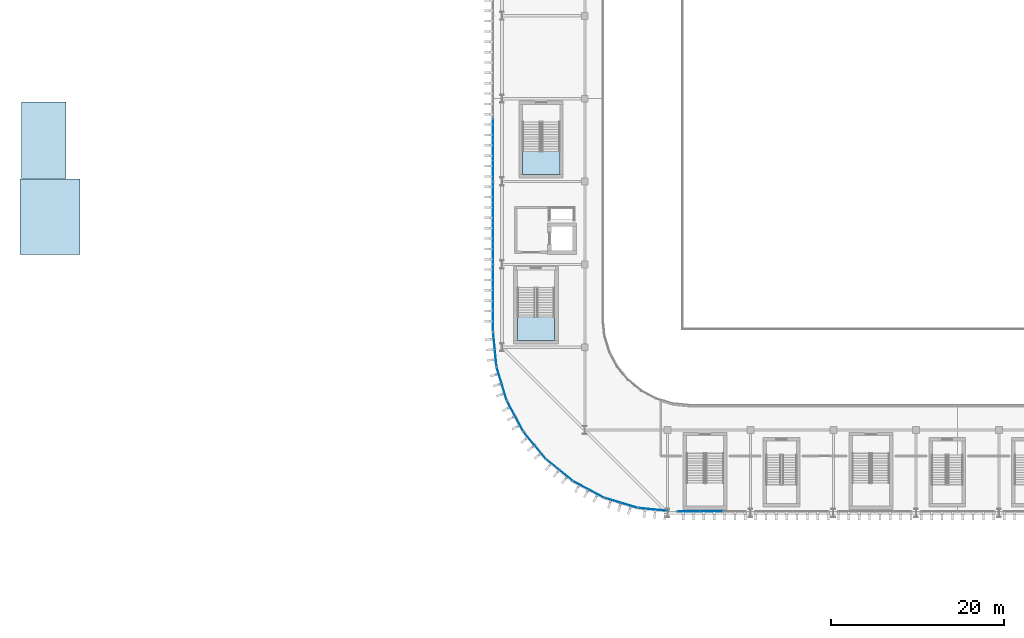
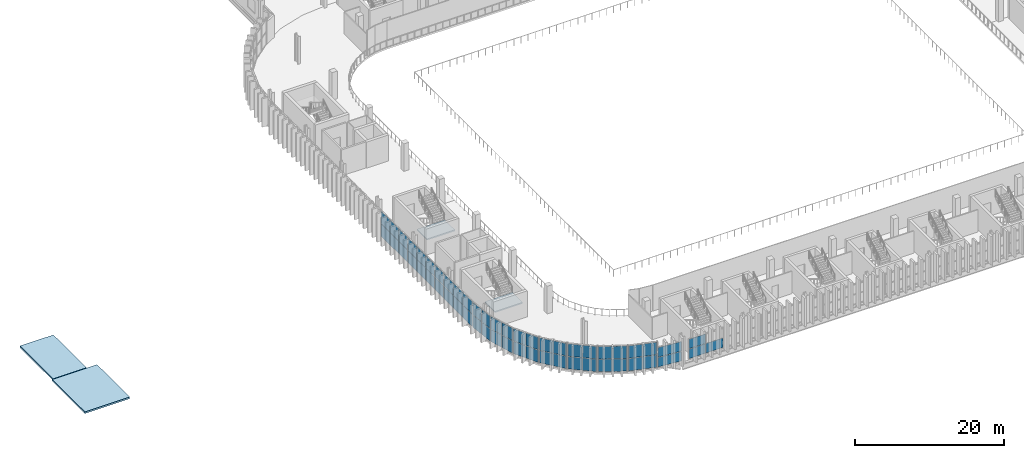
# One storey, part 36 of 75: 53 plates, 4 slabs, 14 elements without a shape of their own.
"""IFC4 building model written with IfcOpenShell, lengths in metres."""

from ifc_helpers import new_model, si_unit, direction, frame, origin, origin_2d, place, context, subcontext, project, spatial, polyline, rectangle, outline, extrude, material, layer, layer_set, type_object, element, aggregate, save


model = new_model("IFC4")

# Units and contexts
model_context = context("Model", 3, precision=1e-05, world=origin(), true_north=direction((0.0, 1.0)))
body_context = subcontext(model_context, "Body", "Model", "MODEL_VIEW")
ifc_project = project(units=[si_unit("LENGTHUNIT", "METRE"), si_unit("AREAUNIT", "SQUARE_METRE"), si_unit("VOLUMEUNIT", "CUBIC_METRE"), si_unit("PLANEANGLEUNIT", "RADIAN"), si_unit("MASSUNIT", "GRAM", prefix="KILO")], contexts=[model_context])

# Site, building, storey
site_placement = place(None, origin())
site = spatial("IfcSite", under=ifc_project, at=site_placement, CompositionType="ELEMENT")
building_placement = place(site_placement, origin())
building = spatial("IfcBuilding", under=site, at=building_placement, Name="Caelomonte Colonnade Arena", CompositionType="ELEMENT")
storey_placement = place(building_placement, frame((0.0, 0.0, 14.10009765625)))
storey = spatial("IfcBuildingStorey", under=building, at=storey_placement, Name="L03", CompositionType="ELEMENT", Elevation=14.10009765625)

# Curtain wall, plates
ifc_material_1 = material(Name="Bronze anodised aluminium and low-E glazing", Category="aluminium")
ifc_layer_1 = layer(ifc_material_1, 0.179931640625)
ifc_layer_set_1 = layer_set([ifc_layer_1], Name="Bronze anodised aluminium and low-E glazing")
curtain_wall_type_1 = type_object("IfcCurtainWallType", Name="ENV-CW-CW-L03-44-42", PredefinedType="USERDEFINED", material=ifc_layer_set_1)
curtain_wall_1_placement = place(storey_placement, origin())
curtain_wall_1 = element("IfcCurtainWall", 1, at=curtain_wall_1_placement, inside=storey, type_object=curtain_wall_type_1, Name="L03 unitized curtain wall CW-L03-0676-0219", ObjectType="UNITIZED CURTAIN WALL", PredefinedType="USERDEFINED")
ifc_material_2 = material(Name="Solar-control bronze low-E double glazing", Category="glass")
ifc_layer_2 = layer(ifc_material_2, 0.035888671875)
ifc_layer_set_2 = layer_set([ifc_layer_2], Name="Solar-control bronze low-E double glazing")
plate_type = type_object("IfcPlateType", Name="ENV-CW-PAN36", PredefinedType="CURTAIN_PANEL", material=ifc_layer_set_2)
plate_1_placement = place(storey_placement, frame((66.758544921875, 22.39501953125, 0.06982421875), z_axis=(0.0, 0.0, 1.0), x_axis=(0.881922613642, -0.471394212466, 0.0)))
plate_1 = element("IfcPlate", 2, at=plate_1_placement, type_object=plate_type, Name="CW-L03-44-42 panel 1.1", PredefinedType="CURTAIN_PANEL", context=body_context, shape_type="SweptSolid", body=[
    extrude(rectangle(XDim=1.913330078125, YDim=0.035888671875, at=origin_2d()), origin(), (0.0, 0.0, 1.0), 2.014892578125),
])
plate_2_placement = place(storey_placement, frame((66.758544921875, 22.39501953125, 2.15478515625), z_axis=(0.0, 0.0, 1.0), x_axis=(0.881922613642, -0.471394212466, 0.0)))
plate_2 = element("IfcPlate", 3, at=plate_2_placement, type_object=plate_type, Name="CW-L03-44-42 panel 1.2", PredefinedType="CURTAIN_PANEL", context=body_context, shape_type="SweptSolid", body=[
    extrude(rectangle(XDim=1.913330078125, YDim=0.035888671875, at=origin_2d()), origin(), (0.0, 0.0, 1.0), 2.014892578125),
])
plate_3_placement = place(storey_placement, frame((68.5078125, 21.4599609375, 0.06982421875), z_axis=(0.0, 0.0, 1.0), x_axis=(0.881922613642, -0.471394212466, 0.0)))
plate_3 = element("IfcPlate", 4, at=plate_3_placement, type_object=plate_type, Name="CW-L03-44-42 panel 2.1", PredefinedType="CURTAIN_PANEL", context=body_context, shape_type="SweptSolid", body=[
    extrude(rectangle(XDim=1.913330078125, YDim=0.035888671875, at=origin_2d()), origin(), (0.0, 0.0, 1.0), 2.014892578125),
])
plate_4_placement = place(storey_placement, frame((68.5078125, 21.4599609375, 2.15478515625), z_axis=(0.0, 0.0, 1.0), x_axis=(0.881922613642, -0.471394212466, 0.0)))
plate_4 = element("IfcPlate", 5, at=plate_4_placement, type_object=plate_type, Name="CW-L03-44-42 panel 2.2", PredefinedType="CURTAIN_PANEL", context=body_context, shape_type="SweptSolid", body=[
    extrude(rectangle(XDim=1.913330078125, YDim=0.035888671875, at=origin_2d()), origin(), (0.0, 0.0, 1.0), 2.014892578125),
])
aggregate(curtain_wall_1, [plate_1, plate_2, plate_3, plate_4])

curtain_wall_2_placement = place(storey_placement, origin())
curtain_wall_2 = element("IfcCurtainWall", 6, at=curtain_wall_2_placement, inside=storey, type_object=curtain_wall_type_1, Name="L03 unitized curtain wall CW-L03-0714-0204", ObjectType="UNITIZED CURTAIN WALL", PredefinedType="USERDEFINED")
plate_5_placement = place(storey_placement, frame((70.4365234375, 20.6611328125, 0.06982421875), z_axis=(0.0, 0.0, 1.0), x_axis=(0.956949160999, -0.290255582655, 0.0)))
plate_5 = element("IfcPlate", 7, at=plate_5_placement, type_object=plate_type, Name="CW-L03-44-42 panel 1.1", PredefinedType="CURTAIN_PANEL", context=body_context, shape_type="SweptSolid", body=[
    extrude(rectangle(XDim=1.913330078125, YDim=0.035888671875, at=origin_2d()), origin(), (0.0, 0.0, 1.0), 2.014892578125),
])
plate_6_placement = place(storey_placement, frame((70.4365234375, 20.6611328125, 2.15478515625), z_axis=(0.0, 0.0, 1.0), x_axis=(0.956949160999, -0.290255582655, 0.0)))
plate_6 = element("IfcPlate", 8, at=plate_6_placement, type_object=plate_type, Name="CW-L03-44-42 panel 1.2", PredefinedType="CURTAIN_PANEL", context=body_context, shape_type="SweptSolid", body=[
    extrude(rectangle(XDim=1.913330078125, YDim=0.035888671875, at=origin_2d()), origin(), (0.0, 0.0, 1.0), 2.014892578125),
])
plate_7_placement = place(storey_placement, frame((72.334716796875, 20.08544921875, 0.06982421875), z_axis=(0.0, 0.0, 1.0), x_axis=(0.956949160999, -0.290255582655, 0.0)))
plate_7 = element("IfcPlate", 9, at=plate_7_placement, type_object=plate_type, Name="CW-L03-44-42 panel 2.1", PredefinedType="CURTAIN_PANEL", context=body_context, shape_type="SweptSolid", body=[
    extrude(rectangle(XDim=1.913330078125, YDim=0.035888671875, at=origin_2d()), origin(), (0.0, 0.0, 1.0), 2.014892578125),
])
plate_8_placement = place(storey_placement, frame((72.334716796875, 20.08544921875, 2.15478515625), z_axis=(0.0, 0.0, 1.0), x_axis=(0.956949160999, -0.290255582655, 0.0)))
plate_8 = element("IfcPlate", 10, at=plate_8_placement, type_object=plate_type, Name="CW-L03-44-42 panel 2.2", PredefinedType="CURTAIN_PANEL", context=body_context, shape_type="SweptSolid", body=[
    extrude(rectangle(XDim=1.913330078125, YDim=0.035888671875, at=origin_2d()), origin(), (0.0, 0.0, 1.0), 2.014892578125),
])
aggregate(curtain_wall_2, [plate_5, plate_6, plate_7, plate_8])

ifc_layer_3 = layer(ifc_material_1, 0.179931640625)
ifc_layer_set_3 = layer_set([ifc_layer_3], Name="Bronze anodised aluminium and low-E glazing")
curtain_wall_type_2 = type_object("IfcCurtainWallType", Name="ENV-CW-CW-L03-42-33", PredefinedType="USERDEFINED", material=ifc_layer_set_3)
curtain_wall_3_placement = place(storey_placement, origin())
curtain_wall_3 = element("IfcCurtainWall", 11, at=curtain_wall_3_placement, inside=storey, type_object=curtain_wall_type_2, Name="L03 unitized curtain wall CW-L03-0753-0196", ObjectType="UNITIZED CURTAIN WALL", PredefinedType="USERDEFINED")
plate_9_placement = place(storey_placement, frame((75.1435546875, 19.60302734375, 0.06982421875), z_axis=(0.0, 0.0, 1.0), x_axis=(0.995184476904, -0.09801967624, 0.0)))
plate_9 = element("IfcPlate", 12, at=plate_9_placement, type_object=plate_type, Name="CW-L03-42-33 panel 1.1", PredefinedType="CURTAIN_PANEL", context=body_context, shape_type="SweptSolid", body=[
    extrude(rectangle(XDim=3.44287109375, YDim=0.035888671875, at=origin_2d()), origin(), (0.0, 0.0, 1.0), 1.551513671875),
])
plate_10_placement = place(storey_placement, frame((75.1435546875, 19.60302734375, 1.69140625), z_axis=(0.0, 0.0, 1.0), x_axis=(0.995184476904, -0.09801967624, 0.0)))
plate_10 = element("IfcPlate", 13, at=plate_10_placement, type_object=plate_type, Name="CW-L03-42-33 panel 1.2", PredefinedType="CURTAIN_PANEL", context=body_context, shape_type="SweptSolid", body=[
    extrude(rectangle(XDim=3.44287109375, YDim=0.035888671875, at=origin_2d()), origin(), (0.0, 0.0, 1.0), 1.551513671875),
])
aggregate(curtain_wall_3, [plate_9, plate_10])

ifc_layer_4 = layer(ifc_material_1, 0.179931640625)
ifc_layer_set_4 = layer_set([ifc_layer_4], Name="Bronze anodised aluminium and low-E glazing")
curtain_wall_type_3 = type_object("IfcCurtainWallType", Name="ENV-CW-CW-L03-90-33", PredefinedType="USERDEFINED", material=ifc_layer_set_4)
curtain_wall_4_placement = place(storey_placement, origin())
curtain_wall_4 = element("IfcCurtainWall", 14, at=curtain_wall_4_placement, inside=storey, type_object=curtain_wall_type_3, Name="L03 unitized curtain wall CW-L03-0819-0194", ObjectType="UNITIZED CURTAIN WALL", PredefinedType="USERDEFINED")
plate_11_placement = place(storey_placement, frame((79.24658203125, 19.3798828125, 0.06982421875), z_axis=(0.0, 0.0, 1.0), x_axis=(1.0, 0.0, 0.0)))
plate_11 = element("IfcPlate", 15, at=plate_11_placement, type_object=plate_type, Name="CW-L03-90-33 panel 1.1", PredefinedType="CURTAIN_PANEL", context=body_context, shape_type="SweptSolid", body=[
    extrude(rectangle(XDim=2.56591796875, YDim=0.035888671875, at=origin_2d()), origin(), (0.0, 0.0, 1.0), 1.551513671875),
])
plate_12_placement = place(storey_placement, frame((79.24658203125, 19.3798828125, 1.69140625), z_axis=(0.0, 0.0, 1.0), x_axis=(1.0, 0.0, 0.0)))
plate_12 = element("IfcPlate", 16, at=plate_12_placement, type_object=plate_type, Name="CW-L03-90-33 panel 1.2", PredefinedType="CURTAIN_PANEL", context=body_context, shape_type="SweptSolid", body=[
    extrude(rectangle(XDim=2.56591796875, YDim=0.035888671875, at=origin_2d()), origin(), (0.0, 0.0, 1.0), 1.551513671875),
])
plate_13_placement = place(storey_placement, frame((81.89990234375, 19.3798828125, 0.06982421875), z_axis=(0.0, 0.0, 1.0), x_axis=(1.0, 0.0, 0.0)))
plate_13 = element("IfcPlate", 17, at=plate_13_placement, type_object=plate_type, Name="CW-L03-90-33 panel 2.1", PredefinedType="CURTAIN_PANEL", context=body_context, shape_type="SweptSolid", body=[
    extrude(rectangle(XDim=2.600830078125, YDim=0.035888671875, at=origin_2d()), origin(), (0.0, 0.0, 1.0), 1.551513671875),
])
aggregate(curtain_wall_4, [plate_11, plate_12, plate_13])

ifc_layer_5 = layer(ifc_material_1, 0.179931640625)
ifc_layer_set_5 = layer_set([ifc_layer_5], Name="Bronze anodised aluminium and low-E glazing")
curtain_wall_type_4 = type_object("IfcCurtainWallType", Name="ENV-CW-CW-L03-96-42", PredefinedType="USERDEFINED", material=ifc_layer_set_5)
curtain_wall_5_placement = place(storey_placement, origin())
curtain_wall_5 = element("IfcCurtainWall", 18, at=curtain_wall_5_placement, inside=storey, type_object=curtain_wall_type_4, Name="L03 unitized curtain wall CW-L03-0566-0624", ObjectType="UNITIZED CURTAIN WALL", PredefinedType="USERDEFINED")
plate_14_placement = place(storey_placement, frame((56.580078125, 63.590087890625, 0.06982421875), z_axis=(0.0, 0.0, 1.0), x_axis=(0.0, -1.0, 0.0)))
plate_14 = element("IfcPlate", 19, at=plate_14_placement, type_object=plate_type, Name="CW-L03-96-42 panel 2.1", PredefinedType="CURTAIN_PANEL", context=body_context, shape_type="SweptSolid", body=[
    extrude(rectangle(XDim=2.31005859375, YDim=0.035888671875, at=origin_2d()), origin(), (0.0, 0.0, 1.0), 2.014892578125),
])
plate_15_placement = place(storey_placement, frame((56.580078125, 63.590087890625, 2.15478515625), z_axis=(0.0, 0.0, 1.0), x_axis=(0.0, -1.0, 0.0)))
plate_15 = element("IfcPlate", 20, at=plate_15_placement, type_object=plate_type, Name="CW-L03-96-42 panel 2.2", PredefinedType="CURTAIN_PANEL", context=body_context, shape_type="SweptSolid", body=[
    extrude(rectangle(XDim=2.31005859375, YDim=0.035888671875, at=origin_2d()), origin(), (0.0, 0.0, 1.0), 2.014892578125),
])
plate_16_placement = place(storey_placement, frame((56.580078125, 61.2099609375, 0.06982421875), z_axis=(0.0, 0.0, 1.0), x_axis=(0.0, -1.0, 0.0)))
plate_16 = element("IfcPlate", 21, at=plate_16_placement, type_object=plate_type, Name="CW-L03-96-42 panel 3.1", PredefinedType="CURTAIN_PANEL", context=body_context, shape_type="SweptSolid", body=[
    extrude(rectangle(XDim=2.31005859375, YDim=0.035888671875, at=origin_2d()), origin(), (0.0, 0.0, 1.0), 2.014892578125),
])
plate_17_placement = place(storey_placement, frame((56.580078125, 61.2099609375, 2.15478515625), z_axis=(0.0, 0.0, 1.0), x_axis=(0.0, -1.0, 0.0)))
plate_17 = element("IfcPlate", 22, at=plate_17_placement, type_object=plate_type, Name="CW-L03-96-42 panel 3.2", PredefinedType="CURTAIN_PANEL", context=body_context, shape_type="SweptSolid", body=[
    extrude(rectangle(XDim=2.31005859375, YDim=0.035888671875, at=origin_2d()), origin(), (0.0, 0.0, 1.0), 2.014892578125),
])
plate_18_placement = place(storey_placement, frame((56.580078125, 58.847412109375, 0.06982421875), z_axis=(0.0, 0.0, 1.0), x_axis=(0.0, -1.0, 0.0)))
plate_18 = element("IfcPlate", 23, at=plate_18_placement, type_object=plate_type, Name="CW-L03-96-42 panel 4.1", PredefinedType="CURTAIN_PANEL", context=body_context, shape_type="SweptSolid", body=[
    extrude(rectangle(XDim=2.27490234375, YDim=0.035888671875, at=origin_2d()), origin(), (0.0, 0.0, 1.0), 2.014892578125),
])
plate_19_placement = place(storey_placement, frame((56.580078125, 58.847412109375, 2.15478515625), z_axis=(0.0, 0.0, 1.0), x_axis=(0.0, -1.0, 0.0)))
plate_19 = element("IfcPlate", 24, at=plate_19_placement, type_object=plate_type, Name="CW-L03-96-42 panel 4.2", PredefinedType="CURTAIN_PANEL", context=body_context, shape_type="SweptSolid", body=[
    extrude(rectangle(XDim=2.27490234375, YDim=0.035888671875, at=origin_2d()), origin(), (0.0, 0.0, 1.0), 2.014892578125),
])
aggregate(curtain_wall_5, [plate_14, plate_15, plate_16, plate_17, plate_18, plate_19])

curtain_wall_6_placement = place(storey_placement, origin())
curtain_wall_6 = element("IfcCurtainWall", 25, at=curtain_wall_6_placement, inside=storey, type_object=curtain_wall_type_4, Name="L03 unitized curtain wall CW-L03-0566-0528", ObjectType="UNITIZED CURTAIN WALL", PredefinedType="USERDEFINED")
plate_20_placement = place(storey_placement, frame((56.580078125, 56.3525390625, 0.06982421875), z_axis=(0.0, 0.0, 1.0), x_axis=(0.0, -1.0, 0.0)))
plate_20 = element("IfcPlate", 26, at=plate_20_placement, type_object=plate_type, Name="CW-L03-96-42 panel 1.1", PredefinedType="CURTAIN_PANEL", context=body_context, shape_type="SweptSolid", body=[
    extrude(rectangle(XDim=2.27490234375, YDim=0.035888671875, at=origin_2d()), origin(), (0.0, 0.0, 1.0), 2.014892578125),
])
plate_21_placement = place(storey_placement, frame((56.580078125, 56.3525390625, 2.15478515625), z_axis=(0.0, 0.0, 1.0), x_axis=(0.0, -1.0, 0.0)))
plate_21 = element("IfcPlate", 27, at=plate_21_placement, type_object=plate_type, Name="CW-L03-96-42 panel 1.2", PredefinedType="CURTAIN_PANEL", context=body_context, shape_type="SweptSolid", body=[
    extrude(rectangle(XDim=2.27490234375, YDim=0.035888671875, at=origin_2d()), origin(), (0.0, 0.0, 1.0), 2.014892578125),
])
plate_22_placement = place(storey_placement, frame((56.580078125, 53.989990234375, 0.06982421875), z_axis=(0.0, 0.0, 1.0), x_axis=(0.0, -1.0, 0.0)))
plate_22 = element("IfcPlate", 28, at=plate_22_placement, type_object=plate_type, Name="CW-L03-96-42 panel 2.1", PredefinedType="CURTAIN_PANEL", context=body_context, shape_type="SweptSolid", body=[
    extrude(rectangle(XDim=2.31005859375, YDim=0.035888671875, at=origin_2d()), origin(), (0.0, 0.0, 1.0), 2.014892578125),
])
plate_23_placement = place(storey_placement, frame((56.580078125, 53.989990234375, 2.15478515625), z_axis=(0.0, 0.0, 1.0), x_axis=(0.0, -1.0, 0.0)))
plate_23 = element("IfcPlate", 29, at=plate_23_placement, type_object=plate_type, Name="CW-L03-96-42 panel 2.2", PredefinedType="CURTAIN_PANEL", context=body_context, shape_type="SweptSolid", body=[
    extrude(rectangle(XDim=2.31005859375, YDim=0.035888671875, at=origin_2d()), origin(), (0.0, 0.0, 1.0), 2.014892578125),
])
plate_24_placement = place(storey_placement, frame((56.580078125, 51.610107421875, 0.06982421875), z_axis=(0.0, 0.0, 1.0), x_axis=(0.0, -1.0, 0.0)))
plate_24 = element("IfcPlate", 30, at=plate_24_placement, type_object=plate_type, Name="CW-L03-96-42 panel 3.1", PredefinedType="CURTAIN_PANEL", context=body_context, shape_type="SweptSolid", body=[
    extrude(rectangle(XDim=2.31005859375, YDim=0.035888671875, at=origin_2d()), origin(), (0.0, 0.0, 1.0), 2.014892578125),
])
plate_25_placement = place(storey_placement, frame((56.580078125, 51.610107421875, 2.15478515625), z_axis=(0.0, 0.0, 1.0), x_axis=(0.0, -1.0, 0.0)))
plate_25 = element("IfcPlate", 31, at=plate_25_placement, type_object=plate_type, Name="CW-L03-96-42 panel 3.2", PredefinedType="CURTAIN_PANEL", context=body_context, shape_type="SweptSolid", body=[
    extrude(rectangle(XDim=2.31005859375, YDim=0.035888671875, at=origin_2d()), origin(), (0.0, 0.0, 1.0), 2.014892578125),
])
plate_26_placement = place(storey_placement, frame((56.580078125, 49.24755859375, 0.06982421875), z_axis=(0.0, 0.0, 1.0), x_axis=(0.0, -1.0, 0.0)))
plate_26 = element("IfcPlate", 32, at=plate_26_placement, type_object=plate_type, Name="CW-L03-96-42 panel 4.1", PredefinedType="CURTAIN_PANEL", context=body_context, shape_type="SweptSolid", body=[
    extrude(rectangle(XDim=2.27490234375, YDim=0.035888671875, at=origin_2d()), origin(), (0.0, 0.0, 1.0), 2.014892578125),
])
plate_27_placement = place(storey_placement, frame((56.580078125, 49.24755859375, 2.15478515625), z_axis=(0.0, 0.0, 1.0), x_axis=(0.0, -1.0, 0.0)))
plate_27 = element("IfcPlate", 33, at=plate_27_placement, type_object=plate_type, Name="CW-L03-96-42 panel 4.2", PredefinedType="CURTAIN_PANEL", context=body_context, shape_type="SweptSolid", body=[
    extrude(rectangle(XDim=2.27490234375, YDim=0.035888671875, at=origin_2d()), origin(), (0.0, 0.0, 1.0), 2.014892578125),
])
aggregate(curtain_wall_6, [plate_20, plate_21, plate_22, plate_23, plate_24, plate_25, plate_26, plate_27])

ifc_layer_6 = layer(ifc_material_1, 0.179931640625)
ifc_layer_set_6 = layer_set([ifc_layer_6], Name="Bronze anodised aluminium and low-E glazing")
curtain_wall_type_5 = type_object("IfcCurtainWallType", Name="ENV-CW-CW-L03-79-42", PredefinedType="USERDEFINED", material=ifc_layer_set_6)
curtain_wall_7_placement = place(storey_placement, origin())
curtain_wall_7 = element("IfcCurtainWall", 34, at=curtain_wall_7_placement, inside=storey, type_object=curtain_wall_type_5, Name="L03 unitized curtain wall CW-L03-0566-0440", ObjectType="UNITIZED CURTAIN WALL", PredefinedType="USERDEFINED")
plate_28_placement = place(storey_placement, frame((56.580078125, 46.65576171875, 0.06982421875), z_axis=(0.0, 0.0, 1.0), x_axis=(0.0, -1.0, 0.0)))
plate_28 = element("IfcPlate", 35, at=plate_28_placement, type_object=plate_type, Name="CW-L03-79-42 panel 1.1", PredefinedType="CURTAIN_PANEL", context=body_context, shape_type="SweptSolid", body=[
    extrude(rectangle(XDim=2.46826171875, YDim=0.035888671875, at=origin_2d()), origin(), (0.0, 0.0, 1.0), 2.014892578125),
])
plate_29_placement = place(storey_placement, frame((56.580078125, 46.65576171875, 2.15478515625), z_axis=(0.0, 0.0, 1.0), x_axis=(0.0, -1.0, 0.0)))
plate_29 = element("IfcPlate", 36, at=plate_29_placement, type_object=plate_type, Name="CW-L03-79-42 panel 1.2", PredefinedType="CURTAIN_PANEL", context=body_context, shape_type="SweptSolid", body=[
    extrude(rectangle(XDim=2.46826171875, YDim=0.035888671875, at=origin_2d()), origin(), (0.0, 0.0, 1.0), 2.014892578125),
])
plate_30_placement = place(storey_placement, frame((56.580078125, 44.10009765625, 0.06982421875), z_axis=(0.0, 0.0, 1.0), x_axis=(0.0, -1.0, 0.0)))
plate_30 = element("IfcPlate", 37, at=plate_30_placement, type_object=plate_type, Name="CW-L03-79-42 panel 2.1", PredefinedType="CURTAIN_PANEL", context=body_context, shape_type="SweptSolid", body=[
    extrude(rectangle(XDim=2.50341796875, YDim=0.035888671875, at=origin_2d()), origin(), (0.0, 0.0, 1.0), 2.014892578125),
])
plate_31_placement = place(storey_placement, frame((56.580078125, 44.10009765625, 2.15478515625), z_axis=(0.0, 0.0, 1.0), x_axis=(0.0, -1.0, 0.0)))
plate_31 = element("IfcPlate", 38, at=plate_31_placement, type_object=plate_type, Name="CW-L03-79-42 panel 2.2", PredefinedType="CURTAIN_PANEL", context=body_context, shape_type="SweptSolid", body=[
    extrude(rectangle(XDim=2.50341796875, YDim=0.035888671875, at=origin_2d()), origin(), (0.0, 0.0, 1.0), 2.014892578125),
])
plate_32_placement = place(storey_placement, frame((56.580078125, 41.544189453125, 0.06982421875), z_axis=(0.0, 0.0, 1.0), x_axis=(0.0, -1.0, 0.0)))
plate_32 = element("IfcPlate", 39, at=plate_32_placement, type_object=plate_type, Name="CW-L03-79-42 panel 3.1", PredefinedType="CURTAIN_PANEL", context=body_context, shape_type="SweptSolid", body=[
    extrude(rectangle(XDim=2.46826171875, YDim=0.035888671875, at=origin_2d()), origin(), (0.0, 0.0, 1.0), 2.014892578125),
])
plate_33_placement = place(storey_placement, frame((56.580078125, 41.544189453125, 2.15478515625), z_axis=(0.0, 0.0, 1.0), x_axis=(0.0, -1.0, 0.0)))
plate_33 = element("IfcPlate", 40, at=plate_33_placement, type_object=plate_type, Name="CW-L03-79-42 panel 3.2", PredefinedType="CURTAIN_PANEL", context=body_context, shape_type="SweptSolid", body=[
    extrude(rectangle(XDim=2.46826171875, YDim=0.035888671875, at=origin_2d()), origin(), (0.0, 0.0, 1.0), 2.014892578125),
])
aggregate(curtain_wall_7, [plate_28, plate_29, plate_30, plate_31, plate_32, plate_33])

curtain_wall_8_placement = place(storey_placement, origin())
curtain_wall_8 = element("IfcCurtainWall", 41, at=curtain_wall_8_placement, inside=storey, type_object=curtain_wall_type_1, Name="L03 unitized curtain wall CW-L03-0568-0382", ObjectType="UNITIZED CURTAIN WALL", PredefinedType="USERDEFINED")
plate_34_placement = place(storey_placement, frame((56.68359375, 39.156005859375, 0.06982421875), z_axis=(0.0, 0.0, 1.0), x_axis=(0.098002498041, -0.995186168703, 0.0)))
plate_34 = element("IfcPlate", 42, at=plate_34_placement, type_object=plate_type, Name="CW-L03-44-42 panel 1.1", PredefinedType="CURTAIN_PANEL", context=body_context, shape_type="SweptSolid", body=[
    extrude(rectangle(XDim=1.913330078125, YDim=0.035888671875, at=origin_2d()), origin(), (0.0, 0.0, 1.0), 2.014892578125),
])
plate_35_placement = place(storey_placement, frame((56.68359375, 39.156005859375, 2.15478515625), z_axis=(0.0, 0.0, 1.0), x_axis=(0.098002498041, -0.995186168703, 0.0)))
plate_35 = element("IfcPlate", 43, at=plate_35_placement, type_object=plate_type, Name="CW-L03-44-42 panel 1.2", PredefinedType="CURTAIN_PANEL", context=body_context, shape_type="SweptSolid", body=[
    extrude(rectangle(XDim=1.913330078125, YDim=0.035888671875, at=origin_2d()), origin(), (0.0, 0.0, 1.0), 2.014892578125),
])
plate_36_placement = place(storey_placement, frame((56.878173828125, 37.182373046875, 0.06982421875), z_axis=(0.0, 0.0, 1.0), x_axis=(0.098002498041, -0.995186168703, 0.0)))
plate_36 = element("IfcPlate", 44, at=plate_36_placement, type_object=plate_type, Name="CW-L03-44-42 panel 2.1", PredefinedType="CURTAIN_PANEL", context=body_context, shape_type="SweptSolid", body=[
    extrude(rectangle(XDim=1.913330078125, YDim=0.035888671875, at=origin_2d()), origin(), (0.0, 0.0, 1.0), 2.014892578125),
])
plate_37_placement = place(storey_placement, frame((56.878173828125, 37.182373046875, 2.15478515625), z_axis=(0.0, 0.0, 1.0), x_axis=(0.098002498041, -0.995186168703, 0.0)))
plate_37 = element("IfcPlate", 45, at=plate_37_placement, type_object=plate_type, Name="CW-L03-44-42 panel 2.2", PredefinedType="CURTAIN_PANEL", context=body_context, shape_type="SweptSolid", body=[
    extrude(rectangle(XDim=1.913330078125, YDim=0.035888671875, at=origin_2d()), origin(), (0.0, 0.0, 1.0), 2.014892578125),
])
aggregate(curtain_wall_8, [plate_34, plate_35, plate_36, plate_37])

curtain_wall_9_placement = place(storey_placement, origin())
curtain_wall_9 = element("IfcCurtainWall", 46, at=curtain_wall_9_placement, inside=storey, type_object=curtain_wall_type_1, Name="L03 unitized curtain wall CW-L03-0576-0342", ObjectType="UNITIZED CURTAIN WALL", PredefinedType="USERDEFINED")
plate_38_placement = place(storey_placement, frame((57.285400390625, 35.134521484375, 0.06982421875), z_axis=(0.0, 0.0, 1.0), x_axis=(0.290255582655, -0.956949160999, 0.0)))
plate_38 = element("IfcPlate", 47, at=plate_38_placement, type_object=plate_type, Name="CW-L03-44-42 panel 1.1", PredefinedType="CURTAIN_PANEL", context=body_context, shape_type="SweptSolid", body=[
    extrude(rectangle(XDim=1.913330078125, YDim=0.035888671875, at=origin_2d()), origin(), (0.0, 0.0, 1.0), 2.014892578125),
])
plate_39_placement = place(storey_placement, frame((57.285400390625, 35.134521484375, 2.15478515625), z_axis=(0.0, 0.0, 1.0), x_axis=(0.290255582655, -0.956949160999, 0.0)))
plate_39 = element("IfcPlate", 48, at=plate_39_placement, type_object=plate_type, Name="CW-L03-44-42 panel 1.2", PredefinedType="CURTAIN_PANEL", context=body_context, shape_type="SweptSolid", body=[
    extrude(rectangle(XDim=1.913330078125, YDim=0.035888671875, at=origin_2d()), origin(), (0.0, 0.0, 1.0), 2.014892578125),
])
plate_40_placement = place(storey_placement, frame((57.861083984375, 33.236572265625, 0.06982421875), z_axis=(0.0, 0.0, 1.0), x_axis=(0.290255582655, -0.956949160999, 0.0)))
plate_40 = element("IfcPlate", 49, at=plate_40_placement, type_object=plate_type, Name="CW-L03-44-42 panel 2.1", PredefinedType="CURTAIN_PANEL", context=body_context, shape_type="SweptSolid", body=[
    extrude(rectangle(XDim=1.913330078125, YDim=0.035888671875, at=origin_2d()), origin(), (0.0, 0.0, 1.0), 2.014892578125),
])
plate_41_placement = place(storey_placement, frame((57.861083984375, 33.236572265625, 2.15478515625), z_axis=(0.0, 0.0, 1.0), x_axis=(0.290255582655, -0.956949160999, 0.0)))
plate_41 = element("IfcPlate", 50, at=plate_41_placement, type_object=plate_type, Name="CW-L03-44-42 panel 2.2", PredefinedType="CURTAIN_PANEL", context=body_context, shape_type="SweptSolid", body=[
    extrude(rectangle(XDim=1.913330078125, YDim=0.035888671875, at=origin_2d()), origin(), (0.0, 0.0, 1.0), 2.014892578125),
])
aggregate(curtain_wall_9, [plate_38, plate_39, plate_40, plate_41])

curtain_wall_10_placement = place(storey_placement, origin())
curtain_wall_10 = element("IfcCurtainWall", 51, at=curtain_wall_10_placement, inside=storey, type_object=curtain_wall_type_1, Name="L03 unitized curtain wall CW-L03-0591-0304", ObjectType="UNITIZED CURTAIN WALL", PredefinedType="USERDEFINED")
plate_42_placement = place(storey_placement, frame((58.66015625, 31.307861328125, 0.06982421875), z_axis=(0.0, 0.0, 1.0), x_axis=(0.471394212466, -0.881922613642, 0.0)))
plate_42 = element("IfcPlate", 52, at=plate_42_placement, type_object=plate_type, Name="CW-L03-44-42 panel 1.1", PredefinedType="CURTAIN_PANEL", context=body_context, shape_type="SweptSolid", body=[
    extrude(rectangle(XDim=1.913330078125, YDim=0.035888671875, at=origin_2d()), origin(), (0.0, 0.0, 1.0), 2.014892578125),
])
plate_43_placement = place(storey_placement, frame((58.66015625, 31.307861328125, 2.15478515625), z_axis=(0.0, 0.0, 1.0), x_axis=(0.471394212466, -0.881922613642, 0.0)))
plate_43 = element("IfcPlate", 53, at=plate_43_placement, type_object=plate_type, Name="CW-L03-44-42 panel 1.2", PredefinedType="CURTAIN_PANEL", context=body_context, shape_type="SweptSolid", body=[
    extrude(rectangle(XDim=1.913330078125, YDim=0.035888671875, at=origin_2d()), origin(), (0.0, 0.0, 1.0), 2.014892578125),
])
plate_44_placement = place(storey_placement, frame((59.594970703125, 29.55859375, 0.06982421875), z_axis=(0.0, 0.0, 1.0), x_axis=(0.471394212466, -0.881922613642, 0.0)))
plate_44 = element("IfcPlate", 54, at=plate_44_placement, type_object=plate_type, Name="CW-L03-44-42 panel 2.1", PredefinedType="CURTAIN_PANEL", context=body_context, shape_type="SweptSolid", body=[
    extrude(rectangle(XDim=1.913330078125, YDim=0.035888671875, at=origin_2d()), origin(), (0.0, 0.0, 1.0), 2.014892578125),
])
plate_45_placement = place(storey_placement, frame((59.594970703125, 29.55859375, 2.15478515625), z_axis=(0.0, 0.0, 1.0), x_axis=(0.471394212466, -0.881922613642, 0.0)))
plate_45 = element("IfcPlate", 55, at=plate_45_placement, type_object=plate_type, Name="CW-L03-44-42 panel 2.2", PredefinedType="CURTAIN_PANEL", context=body_context, shape_type="SweptSolid", body=[
    extrude(rectangle(XDim=1.913330078125, YDim=0.035888671875, at=origin_2d()), origin(), (0.0, 0.0, 1.0), 2.014892578125),
])
aggregate(curtain_wall_10, [plate_42, plate_43, plate_44, plate_45])

curtain_wall_11_placement = place(storey_placement, origin())
curtain_wall_11 = element("IfcCurtainWall", 56, at=curtain_wall_11_placement, inside=storey, type_object=curtain_wall_type_1, Name="L03 unitized curtain wall CW-L03-0614-0271", ObjectType="UNITIZED CURTAIN WALL", PredefinedType="USERDEFINED")
plate_46_placement = place(storey_placement, frame((60.7548828125, 27.82275390625, 0.06982421875), z_axis=(0.0, 0.0, 1.0), x_axis=(0.634416071163, -0.772991751994, 0.0)))
plate_46 = element("IfcPlate", 57, at=plate_46_placement, type_object=plate_type, Name="CW-L03-44-42 panel 1.1", PredefinedType="CURTAIN_PANEL", context=body_context, shape_type="SweptSolid", body=[
    extrude(rectangle(XDim=1.913330078125, YDim=0.035888671875, at=origin_2d()), origin(), (0.0, 0.0, 1.0), 2.014892578125),
])
plate_47_placement = place(storey_placement, frame((60.7548828125, 27.82275390625, 2.15478515625), z_axis=(0.0, 0.0, 1.0), x_axis=(0.634416071163, -0.772991751994, 0.0)))
plate_47 = element("IfcPlate", 58, at=plate_47_placement, type_object=plate_type, Name="CW-L03-44-42 panel 1.2", PredefinedType="CURTAIN_PANEL", context=body_context, shape_type="SweptSolid", body=[
    extrude(rectangle(XDim=1.913330078125, YDim=0.035888671875, at=origin_2d()), origin(), (0.0, 0.0, 1.0), 2.014892578125),
])
plate_48_placement = place(storey_placement, frame((62.01318359375, 26.28955078125, 0.06982421875), z_axis=(0.0, 0.0, 1.0), x_axis=(0.634416071163, -0.772991751994, 0.0)))
plate_48 = element("IfcPlate", 59, at=plate_48_placement, type_object=plate_type, Name="CW-L03-44-42 panel 2.1", PredefinedType="CURTAIN_PANEL", context=body_context, shape_type="SweptSolid", body=[
    extrude(rectangle(XDim=1.913330078125, YDim=0.035888671875, at=origin_2d()), origin(), (0.0, 0.0, 1.0), 2.014892578125),
])
plate_49_placement = place(storey_placement, frame((62.01318359375, 26.28955078125, 2.15478515625), z_axis=(0.0, 0.0, 1.0), x_axis=(0.634416071163, -0.772991751994, 0.0)))
plate_49 = element("IfcPlate", 60, at=plate_49_placement, type_object=plate_type, Name="CW-L03-44-42 panel 2.2", PredefinedType="CURTAIN_PANEL", context=body_context, shape_type="SweptSolid", body=[
    extrude(rectangle(XDim=1.913330078125, YDim=0.035888671875, at=origin_2d()), origin(), (0.0, 0.0, 1.0), 2.014892578125),
])
aggregate(curtain_wall_11, [plate_46, plate_47, plate_48, plate_49])

curtain_wall_12_placement = place(storey_placement, origin())
curtain_wall_12 = element("IfcCurtainWall", 61, at=curtain_wall_12_placement, inside=storey, type_object=curtain_wall_type_1, Name="L03 unitized curtain wall CW-L03-0643-0242", ObjectType="UNITIZED CURTAIN WALL", PredefinedType="USERDEFINED")
plate_50_placement = place(storey_placement, frame((63.489501953125, 24.813232421875, 0.06982421875), z_axis=(0.0, 0.0, 1.0), x_axis=(0.772991751994, -0.634416071163, 0.0)))
plate_50 = element("IfcPlate", 62, at=plate_50_placement, type_object=plate_type, Name="CW-L03-44-42 panel 1.1", PredefinedType="CURTAIN_PANEL", context=body_context, shape_type="SweptSolid", body=[
    extrude(rectangle(XDim=1.913330078125, YDim=0.035888671875, at=origin_2d()), origin(), (0.0, 0.0, 1.0), 2.014892578125),
])
plate_51_placement = place(storey_placement, frame((63.489501953125, 24.813232421875, 2.15478515625), z_axis=(0.0, 0.0, 1.0), x_axis=(0.772991751994, -0.634416071163, 0.0)))
plate_51 = element("IfcPlate", 63, at=plate_51_placement, type_object=plate_type, Name="CW-L03-44-42 panel 1.2", PredefinedType="CURTAIN_PANEL", context=body_context, shape_type="SweptSolid", body=[
    extrude(rectangle(XDim=1.913330078125, YDim=0.035888671875, at=origin_2d()), origin(), (0.0, 0.0, 1.0), 2.014892578125),
])
plate_52_placement = place(storey_placement, frame((65.022705078125, 23.554931640625, 0.06982421875), z_axis=(0.0, 0.0, 1.0), x_axis=(0.772991751994, -0.634416071163, 0.0)))
plate_52 = element("IfcPlate", 64, at=plate_52_placement, type_object=plate_type, Name="CW-L03-44-42 panel 2.1", PredefinedType="CURTAIN_PANEL", context=body_context, shape_type="SweptSolid", body=[
    extrude(rectangle(XDim=1.913330078125, YDim=0.035888671875, at=origin_2d()), origin(), (0.0, 0.0, 1.0), 2.014892578125),
])
plate_53_placement = place(storey_placement, frame((65.022705078125, 23.554931640625, 2.15478515625), z_axis=(0.0, 0.0, 1.0), x_axis=(0.772991751994, -0.634416071163, 0.0)))
plate_53 = element("IfcPlate", 65, at=plate_53_placement, type_object=plate_type, Name="CW-L03-44-42 panel 2.2", PredefinedType="CURTAIN_PANEL", context=body_context, shape_type="SweptSolid", body=[
    extrude(rectangle(XDim=1.913330078125, YDim=0.035888671875, at=origin_2d()), origin(), (0.0, 0.0, 1.0), 2.014892578125),
])
aggregate(curtain_wall_12, [plate_50, plate_51, plate_52, plate_53])

# Stair, slab
ifc_material_3 = material(Name="Concrete C40/50", Category="concrete")
stair_type_1 = type_object("IfcStairType", Name="INT-ST-WING45", PredefinedType="HALF_TURN_STAIR", material=ifc_material_3)
stair_1_placement = place(storey_placement, origin())
stair_1 = element("IfcStair", 66, at=stair_1_placement, inside=storey, type_object=stair_type_1, Name="L03 Core C1 exit stair ST-01", PredefinedType="HALF_TURN_STAIR")
ifc_layer_7 = layer(ifc_material_3, 0.199951171875)
ifc_layer_set_7 = layer_set([ifc_layer_7], Name="Concrete C40/50")
slab_type_1 = type_object("IfcSlabType", Name="INT-SL-LAND20", PredefinedType="LANDING", material=ifc_layer_set_7)
slab_1_placement = place(storey_placement, frame((0.0, 0.0, 2.0498046875)))
slab_1 = element("IfcSlab", 67, at=slab_1_placement, type_object=slab_type_1, Name="ST-01 landing 1", PredefinedType="LANDING", context=body_context, shape_type="SweptSolid", body=[
    extrude(outline(polyline([(59.39990234375, 41.8798828125), (59.39990234375, 39.199951171875), (63.699951171875, 39.199951171875), (63.699951171875, 41.8798828125), (59.39990234375, 41.8798828125)])), origin(), (0.0, 0.0, 1.0), 0.2001953125),
])
aggregate(stair_1, [slab_1])

stair_type_2 = type_object("IfcStairType", Name="INT-ST-CORE45", PredefinedType="HALF_TURN_STAIR", material=ifc_material_3)
stair_2_placement = place(storey_placement, origin())
stair_2 = element("IfcStair", 68, at=stair_2_placement, inside=storey, type_object=stair_type_2, Name="L03 Protected exit stair ST-09", PredefinedType="HALF_TURN_STAIR")
slab_2_placement = place(storey_placement, frame((0.0, 0.0, 2.0498046875)))
slab_2 = element("IfcSlab", 69, at=slab_2_placement, type_object=slab_type_1, Name="ST-09 landing 1", PredefinedType="LANDING", context=body_context, shape_type="SweptSolid", body=[
    extrude(outline(polyline([(60.0, 61.080078125), (60.0, 58.39990234375), (64.300048828125, 58.39990234375), (64.300048828125, 61.080078125), (60.0, 61.080078125)])), origin(), (0.0, 0.0, 1.0), 0.2001953125),
])
aggregate(stair_2, [slab_2])

# Slabs
ifc_layer_8 = layer(ifc_material_3, 0.280029296875)
ifc_layer_set_8 = layer_set([ifc_layer_8], Name="Concrete C40/50")
slab_type_2 = type_object("IfcSlabType", Name="STR-SL-ROOF28", PredefinedType="ROOF", material=ifc_layer_set_8)
slab_3_placement = place(storey_placement, frame((0.0, 0.0, -0.280029296875)))
element("IfcSlab", 70, at=slab_3_placement, inside=storey, type_object=slab_type_2, Name="Core C8 stair penthouse roof slab", PredefinedType="ROOF", context=body_context, shape_type="SweptSolid", body=[
    extrude(outline(polyline([(1.919921875, 57.9599609375), (7.080078125, 57.9599609375), (7.080078125, 66.830078125), (1.919921875, 66.830078125), (1.919921875, 57.9599609375)])), origin(), (0.0, 0.0, 1.0), 0.280029296875),
])
slab_4_placement = place(storey_placement, frame((0.0, 0.0, -0.280029296875)))
element("IfcSlab", 71, at=slab_4_placement, inside=storey, type_object=slab_type_2, Name="Core C8 lift and lobby penthouse roof slab", PredefinedType="ROOF", context=body_context, shape_type="SweptSolid", body=[
    extrude(outline(polyline([(1.75, 49.14990234375), (8.679931640625, 49.14990234375), (8.679931640625, 57.89990234375), (1.75, 57.89990234375), (1.75, 49.14990234375)])), origin(), (0.0, 0.0, 1.0), 0.280029296875),
])

save(model, "model.ifc")
